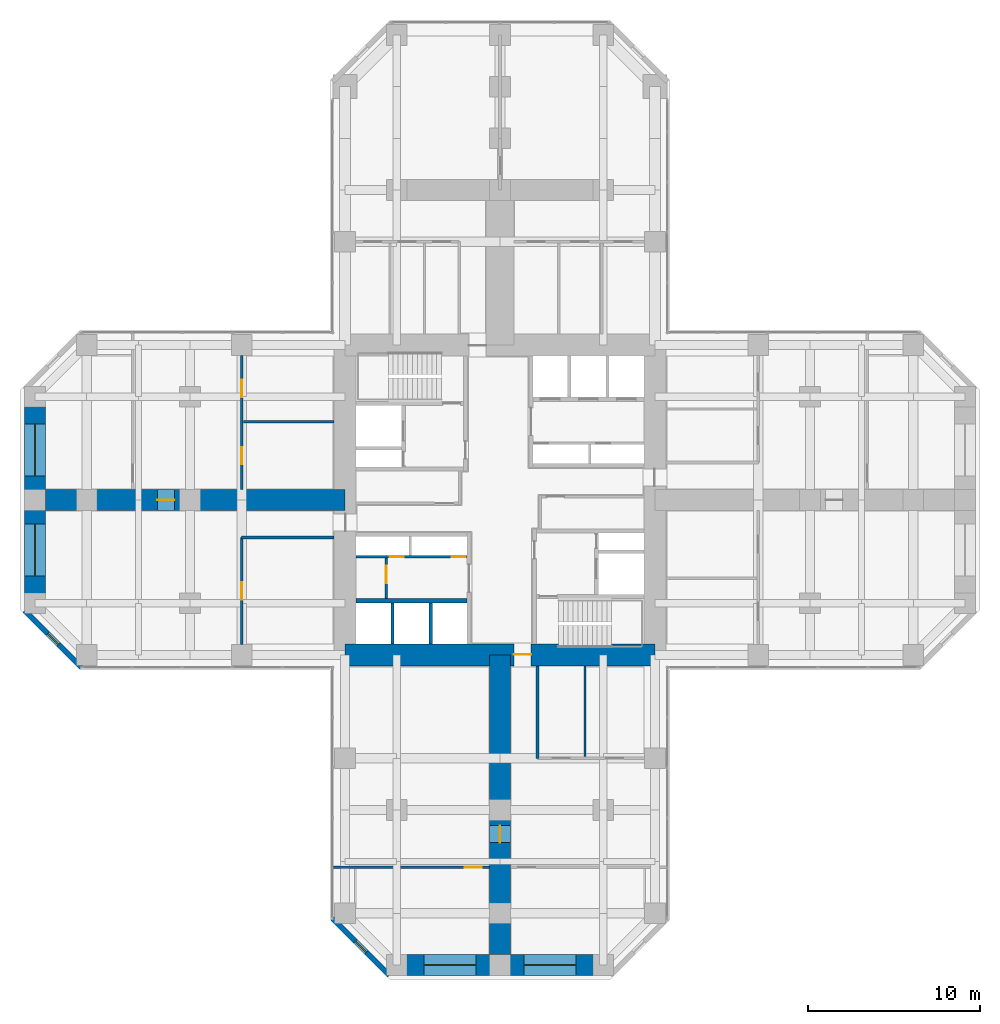
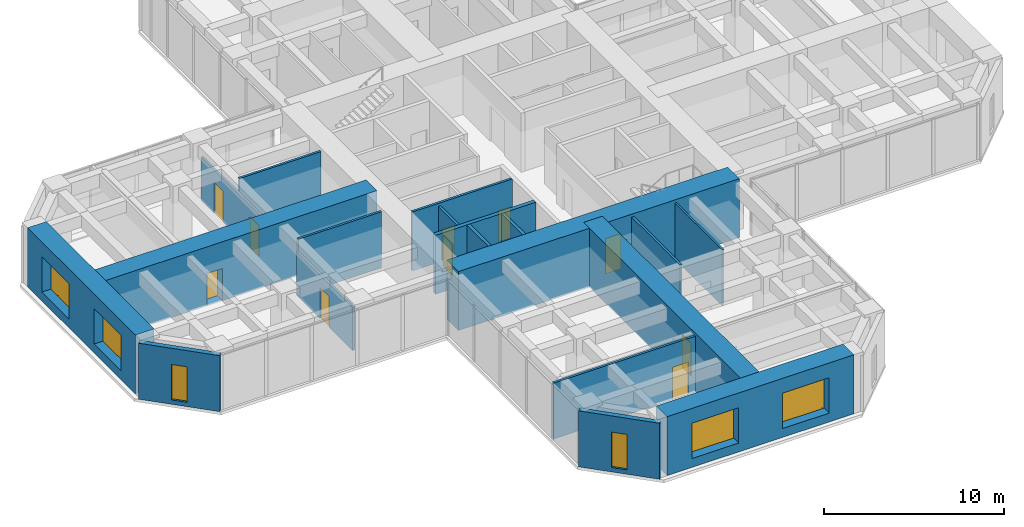
# One storey, part 8 of 12: 19 walls, 10 doors, 6 windows, 16 openings.
"""IFC4 building model written with IfcOpenShell, lengths in metres."""

from ifc_helpers import new_model, si_unit, direction, frame, frame_2d, origin, place, context, subcontext, project, spatial, rectangle, hollow_rectangle, extrude, material, layer, layer_set, constituent, constituent_set, type_object, element, fill, save


model = new_model("IFC4")

# Units and contexts
model_context = context("Model", 3, precision=1e-05, world=origin(), true_north=direction((0.0, 1.0)))
body_context = subcontext(model_context, "Body", "Model", "MODEL_VIEW")
ifc_project = project(units=[si_unit("LENGTHUNIT", "METRE"), si_unit("AREAUNIT", "SQUARE_METRE"), si_unit("VOLUMEUNIT", "CUBIC_METRE"), si_unit("PLANEANGLEUNIT", "RADIAN"), si_unit("MASSUNIT", "GRAM", prefix="KILO")], contexts=[model_context])

# Site, building, storey
site_placement = place(None, origin())
site = spatial("IfcSite", under=ifc_project, at=site_placement, CompositionType="ELEMENT")
building_placement = place(site_placement, origin())
building = spatial("IfcBuilding", under=site, at=building_placement, Name="Torre Cruceta", CompositionType="ELEMENT")
storey_placement = place(building_placement, frame((0.0, 0.0, 87.5)))
storey = spatial("IfcBuildingStorey", under=building, at=storey_placement, Name="L21", CompositionType="ELEMENT", Elevation=87.5)

# Wall
ifc_material_1 = material(Name="Concrete G60 (fck 60 MPa)", Category="concrete")
ifc_layer_1 = layer(ifc_material_1, 0.25)
ifc_layer_set_1 = layer_set([ifc_layer_1], Name="Concrete G60 (fck 60 MPa)")
wall_type_1 = type_object("IfcWallType", Name="CORE INNER WALL 250 G60", PredefinedType="SHEAR", material=ifc_layer_set_1)
wall_1_placement = place(storey_placement, frame((-1.925048828125, -5.85009765625, 0.0), z_axis=(0.0, 0.0, 1.0), x_axis=(-1.0, 0.0, 0.0)))
element("IfcWall", 1, at=wall_1_placement, inside=storey, type_object=wall_type_1, Name="CW4 L21 SW-LV", PredefinedType="SHEAR", context=body_context, shape_type="SweptSolid", body=[
    extrude(rectangle(XDim=6.425048828125, YDim=0.25, at=frame_2d((3.21240234375, 0.0))), origin(), (0.0, 0.0, 1.0), 4.0),
])

# Wall, opening, door
ifc_material_2 = material(Name="Concrete G60 (fck 60 MPa)", Category="concrete")
ifc_layer_2 = layer(ifc_material_2, 1.300048828125)
ifc_layer_set_2 = layer_set([ifc_layer_2], Name="Concrete G60 (fck 60 MPa)")
wall_type_2 = type_object("IfcWallType", Name="CORE WALL 1300 G60", PredefinedType="SHEAR", material=ifc_layer_set_2)
wall_2_placement = place(storey_placement, frame((-9.0, -9.0, 0.0), z_axis=(0.0, 0.0, 1.0), x_axis=(1.0, 0.0, 0.0)))
wall_2 = element("IfcWall", 2, at=wall_2_placement, inside=storey, type_object=wall_type_2, Name="CW1 L21 CW-S", PredefinedType="SHEAR", context=body_context, shape_type="SweptSolid", body=[
    extrude(rectangle(XDim=18.0, YDim=1.300048828125, at=frame_2d((9.0, 0.0))), origin(), (0.0, 0.0, 1.0), 4.0),
])
opening_1_placement = place(wall_2_placement, frame((9.800048828125, 0.0, 0.0)))
opening_1 = element("IfcOpeningElement", 3, at=opening_1_placement, cuts=wall_2, Name="Opening D4", PredefinedType="OPENING", context=body_context, shape_type="SweptSolid", body=[
    extrude(rectangle(XDim=1.0, YDim=2.39990234375, at=frame_2d((0.5, 1.199951171875))), frame((0.0, 0.659912109375, 0.0), z_axis=(0.0, -1.0, 0.0), x_axis=(1.0, 0.0, 0.0)), (0.0, 0.0, 1.0), 1.320068359375),
])
ifc_material_3 = material(Name="Steel DX51D", Category="steel")
ifc_constituent_1 = constituent(ifc_material_3, Name="Leaf and frame")
ifc_material_4 = material(Name="Polyester powder coating", Category="paint")
ifc_constituent_2 = constituent(ifc_material_4, Name="Finish")
ifc_constituent_set_1 = constituent_set(constituents=[ifc_constituent_1, ifc_constituent_2], Name="Steel fire door")
door_type_1 = type_object("IfcDoorType", Name="CORE ARM DOOR 1000X2400", OperationType="SINGLE_SWING_RIGHT", PredefinedType="DOOR", material=ifc_constituent_set_1)
door_1_placement = place(opening_1_placement, frame((1.0, 0.0, 0.0), z_axis=(0.0, 0.0, 1.0), x_axis=(-1.0, 0.0, 0.0)))
door_1 = element("IfcDoor", 4, at=door_1_placement, inside=storey, type_object=door_type_1, Name="D4 L21 CW-S", OperationType="SINGLE_SWING_RIGHT", OverallHeight=2.39990234375, OverallWidth=1.0, PredefinedType="DOOR", context=body_context, shape_type="SweptSolid", body=[
    extrude(rectangle(XDim=1.0, YDim=2.39990234375, at=frame_2d((0.5, 1.199951171875))), frame((0.0, -0.005126953125, 0.0), z_axis=(0.0, -1.0, 0.0), x_axis=(1.0, 0.0, 0.0)), (0.0, 0.0, 1.0), 0.050048828125),
])
fill(opening_1, door_1)

# Wall, opening, window
ifc_material_5 = material(Name="Concrete G30 (fck 30 MPa)", Category="concrete")
ifc_layer_3 = layer(ifc_material_5, 0.300048828125)
ifc_layer_set_3 = layer_set([ifc_layer_3], Name="Concrete G30 (fck 30 MPa)")
wall_type_3 = type_object("IfcWallType", Name="EXPOSED CONCRETE FACADE WALL 300", PredefinedType="SOLIDWALL", material=ifc_layer_set_3)
wall_3_placement = place(storey_placement, frame((-27.60009765625, -6.418212890625, 0.0), z_axis=(0.0, 0.0, 1.0), x_axis=(0.707106781187, -0.707106781187, 0.0)))
wall_3 = element("IfcWall", 5, at=wall_3_placement, inside=storey, type_object=wall_type_3, Name="EW1 facade wall L21 W chamfer 13", PredefinedType="SOLIDWALL", context=body_context, shape_type="SweptSolid", body=[
    extrude(rectangle(XDim=4.66943359375, YDim=0.300048828125, at=frame_2d((2.334716796875, 0.0))), origin(), (0.0, 0.0, 1.0), 3.800048828125),
])
opening_2_placement = place(wall_3_placement, frame((1.884765625, 0.0, 0.300048828125)))
opening_2 = element("IfcOpeningElement", 6, at=opening_2_placement, cuts=wall_3, Name="Opening WN5", PredefinedType="OPENING", context=body_context, shape_type="SweptSolid", body=[
    extrude(rectangle(XDim=0.89990234375, YDim=2.39990234375, at=frame_2d((0.449951171875, 1.199951171875))), frame((0.0, 0.159912109375, 0.0), z_axis=(0.0, -1.0, 0.0), x_axis=(1.0, 0.0, 0.0)), (0.0, 0.0, 1.0), 0.320068359375),
])
ifc_material_6 = material(Name="Aluminium window frame", Category="aluminium")
ifc_constituent_3 = constituent(ifc_material_6, Name="Frame")
ifc_material_7 = material(Name="Laminated insulating glass unit, low-iron clear", Category="glass")
ifc_constituent_4 = constituent(ifc_material_7, Name="Glazing")
ifc_constituent_set_2 = constituent_set(constituents=[ifc_constituent_3, ifc_constituent_4], Name="Aluminium window")
window_type_1 = type_object("IfcWindowType", Name="CHAMFER SLOT WINDOW 900X2400", PartitioningType="SINGLE_PANEL", PredefinedType="WINDOW", material=ifc_constituent_set_2)
window_1_placement = place(opening_2_placement, origin())
window_1 = element("IfcWindow", 7, at=window_1_placement, inside=storey, type_object=window_type_1, Name="WN5 L21 W 1", OverallHeight=2.39990234375, OverallWidth=0.89990234375, PartitioningType="SINGLE_PANEL", PredefinedType="WINDOW", context=body_context, shape_type="SweptSolid", body=[
    extrude(hollow_rectangle(XDim=0.89990234375, YDim=2.39990234375, WallThickness=0.06005859375, at=frame_2d((0.449951171875, 1.199951171875))), frame((0.0, 0.030029296875, 0.0), z_axis=(0.0, -1.0, 0.0), x_axis=(1.0, 0.0, 0.0)), (0.0, 0.0, 1.0), 0.06005859375),
    extrude(rectangle(XDim=0.77880859375, YDim=2.27880859375, at=frame_2d((0.449951171875, 1.199951171875))), frame((0.0, 0.030029296875, 0.0), z_axis=(0.0, -1.0, 0.0), x_axis=(1.0, 0.0, 0.0)), (0.0, 0.0, 1.0), 0.06005859375),
])
fill(opening_2, window_1)

wall_4_placement = place(storey_placement, frame((-9.719970703125, -24.29833984375, 0.0), z_axis=(0.0, 0.0, 1.0), x_axis=(0.707106781187, -0.707106781187, 0.0)))
wall_4 = element("IfcWall", 8, at=wall_4_placement, inside=storey, type_object=wall_type_3, Name="EW1 facade wall L21 S chamfer 16", PredefinedType="SOLIDWALL", context=body_context, shape_type="SweptSolid", body=[
    extrude(rectangle(XDim=4.66943359375, YDim=0.300048828125, at=frame_2d((2.334716796875, 0.0))), origin(), (0.0, 0.0, 1.0), 3.800048828125),
])
opening_3_placement = place(wall_4_placement, frame((1.884765625, 0.0, 0.300048828125)))
opening_3 = element("IfcOpeningElement", 9, at=opening_3_placement, cuts=wall_4, Name="Opening WN5", PredefinedType="OPENING", context=body_context, shape_type="SweptSolid", body=[
    extrude(rectangle(XDim=0.89990234375, YDim=2.39990234375, at=frame_2d((0.449951171875, 1.199951171875))), frame((0.0, 0.159912109375, 0.0), z_axis=(0.0, -1.0, 0.0), x_axis=(1.0, 0.0, 0.0)), (0.0, 0.0, 1.0), 0.320068359375),
])
window_2_placement = place(opening_3_placement, origin())
window_2 = element("IfcWindow", 10, at=window_2_placement, inside=storey, type_object=window_type_1, Name="WN5 L21 S 1", OverallHeight=2.39990234375, OverallWidth=0.89990234375, PartitioningType="SINGLE_PANEL", PredefinedType="WINDOW", context=body_context, shape_type="SweptSolid", body=[
    extrude(hollow_rectangle(XDim=0.89990234375, YDim=2.39990234375, WallThickness=0.06005859375, at=frame_2d((0.449951171875, 1.199951171875))), frame((0.0, 0.030029296875, 0.0), z_axis=(0.0, -1.0, 0.0), x_axis=(1.0, 0.0, 0.0)), (0.0, 0.0, 1.0), 0.06005859375),
    extrude(rectangle(XDim=0.77880859375, YDim=2.27880859375, at=frame_2d((0.449951171875, 1.199951171875))), frame((0.0, 0.030029296875, 0.0), z_axis=(0.0, -1.0, 0.0), x_axis=(1.0, 0.0, 0.0)), (0.0, 0.0, 1.0), 0.06005859375),
])
fill(opening_3, window_2)

# Walls
ifc_material_8 = material(Name="Concrete G35 (fck 35 MPa)", Category="concrete")
ifc_layer_4 = layer(ifc_material_8, 0.199951171875)
ifc_layer_set_4 = layer_set([ifc_layer_4], Name="Concrete G35 (fck 35 MPa)")
wall_type_4 = type_object("IfcWallType", Name="LIFT SHAFT WALL 200", PredefinedType="PARTITIONING", material=ifc_layer_set_4)
for number, where, z_axis, x_axis, name in (
    (11, (-4.033447265625, -5.97509765625, 0.0), (0.0, 0.0, 1.0), (0.0, -1.0, 0.0), "SW1 L21 SW-LS1"),
    (12, (-6.24169921875, -5.97509765625, 0.0), (0.0, 0.0, 1.0), (0.0, -1.0, 0.0), "SW1 L21 SW-LS2"),
):
    element("IfcWall", number, at=place(storey_placement, frame(where, z_axis=z_axis, x_axis=x_axis)), inside=storey, type_object=wall_type_4, Name=name, PredefinedType="PARTITIONING", context=body_context, shape_type="SweptSolid", body=[
        extrude(rectangle(XDim=2.375, YDim=0.199951171875, at=frame_2d((1.1875, 0.0))), origin(), (0.0, 0.0, 1.0), 4.0),
    ])

# Wall, openings, windows
ifc_material_9 = material(Name="Concrete G60 (fck 60 MPa)", Category="concrete")
ifc_layer_5 = layer(ifc_material_9, 1.199951171875)
ifc_layer_set_5 = layer_set([ifc_layer_5], Name="Concrete G60 (fck 60 MPa)")
wall_type_5 = type_object("IfcWallType", Name="NOSE WALL 1200 G60", PredefinedType="SHEAR", material=ifc_layer_set_5)
wall_5_placement = place(storey_placement, frame((-6.0, -27.0, 0.0), z_axis=(0.0, 0.0, 1.0), x_axis=(1.0, 0.0, 0.0)))
wall_5 = element("IfcWall", 13, at=wall_5_placement, inside=storey, type_object=wall_type_5, Name="NW1 nose wall L21 S", PredefinedType="SHEAR", context=body_context, shape_type="SweptSolid", body=[
    extrude(rectangle(XDim=12.0, YDim=1.199951171875, at=frame_2d((6.0, 0.0))), origin(), (0.0, 0.0, 1.0), 4.0),
])
opening_4_placement = place(wall_5_placement, frame((1.60009765625, 0.0, 0.60009765625)))
opening_4 = element("IfcOpeningElement", 14, at=opening_4_placement, cuts=wall_5, Name="Opening WN6", PredefinedType="OPENING", context=body_context, shape_type="SweptSolid", body=[
    extrude(rectangle(XDim=3.0, YDim=2.39990234375, at=frame_2d((1.5, 1.199951171875))), frame((0.0, 0.60986328125, 0.0), z_axis=(0.0, -1.0, 0.0), x_axis=(1.0, 0.0, 0.0)), (0.0, 0.0, 1.0), 1.219970703125),
])
opening_5_placement = place(wall_5_placement, frame((7.39990234375, 0.0, 0.60009765625)))
opening_5 = element("IfcOpeningElement", 15, at=opening_5_placement, cuts=wall_5, Name="Opening WN6", PredefinedType="OPENING", context=body_context, shape_type="SweptSolid", body=[
    extrude(rectangle(XDim=3.0, YDim=2.39990234375, at=frame_2d((1.5, 1.199951171875))), frame((0.0, 0.60986328125, 0.0), z_axis=(0.0, -1.0, 0.0), x_axis=(1.0, 0.0, 0.0)), (0.0, 0.0, 1.0), 1.219970703125),
])
ifc_material_10 = material(Name="Aluminium window frame", Category="aluminium")
ifc_constituent_5 = constituent(ifc_material_10, Name="Frame")
ifc_material_11 = material(Name="Laminated insulating glass unit, low-iron clear", Category="glass")
ifc_constituent_6 = constituent(ifc_material_11, Name="Glazing")
ifc_constituent_set_3 = constituent_set(constituents=[ifc_constituent_5, ifc_constituent_6], Name="Aluminium window")
window_type_2 = type_object("IfcWindowType", Name="NOSE WALL WINDOW 3000X2400", PartitioningType="SINGLE_PANEL", PredefinedType="WINDOW", material=ifc_constituent_set_3)
window_3_placement = place(opening_4_placement, origin())
window_3 = element("IfcWindow", 16, at=window_3_placement, inside=storey, type_object=window_type_2, Name="WN6 L21 S 1", OverallHeight=2.39990234375, OverallWidth=3.0, PartitioningType="SINGLE_PANEL", PredefinedType="WINDOW", context=body_context, shape_type="SweptSolid", body=[
    extrude(hollow_rectangle(XDim=3.0, YDim=2.39990234375, WallThickness=0.06005859375, at=frame_2d((1.5, 1.199951171875))), frame((0.0, 0.030029296875, 0.0), z_axis=(0.0, -1.0, 0.0), x_axis=(1.0, 0.0, 0.0)), (0.0, 0.0, 1.0), 0.06005859375),
    extrude(rectangle(XDim=2.87890625, YDim=2.27880859375, at=frame_2d((1.5, 1.199951171875))), frame((0.0, 0.030029296875, 0.0), z_axis=(0.0, -1.0, 0.0), x_axis=(1.0, 0.0, 0.0)), (0.0, 0.0, 1.0), 0.06005859375),
])
fill(opening_4, window_3)
window_4_placement = place(opening_5_placement, origin())
window_4 = element("IfcWindow", 17, at=window_4_placement, inside=storey, type_object=window_type_2, Name="WN6 L21 S 2", OverallHeight=2.39990234375, OverallWidth=3.0, PartitioningType="SINGLE_PANEL", PredefinedType="WINDOW", context=body_context, shape_type="SweptSolid", body=[
    extrude(hollow_rectangle(XDim=3.0, YDim=2.39990234375, WallThickness=0.06005859375, at=frame_2d((1.5, 1.199951171875))), frame((0.0, 0.030029296875, 0.0), z_axis=(0.0, -1.0, 0.0), x_axis=(1.0, 0.0, 0.0)), (0.0, 0.0, 1.0), 0.06005859375),
    extrude(rectangle(XDim=2.87890625, YDim=2.27880859375, at=frame_2d((1.5, 1.199951171875))), frame((0.0, 0.030029296875, 0.0), z_axis=(0.0, -1.0, 0.0), x_axis=(1.0, 0.0, 0.0)), (0.0, 0.0, 1.0), 0.06005859375),
])
fill(opening_5, window_4)

wall_6_placement = place(storey_placement, frame((-27.0, 6.0, 0.0), z_axis=(0.0, 0.0, 1.0), x_axis=(0.0, -1.0, 0.0)))
wall_6 = element("IfcWall", 18, at=wall_6_placement, inside=storey, type_object=wall_type_5, Name="NW1 nose wall L21 W", PredefinedType="SHEAR", context=body_context, shape_type="SweptSolid", body=[
    extrude(rectangle(XDim=12.0, YDim=1.199951171875, at=frame_2d((6.0, 0.0))), origin(), (0.0, 0.0, 1.0), 4.0),
])
opening_6_placement = place(wall_6_placement, frame((1.60009765625, 0.0, 0.60009765625)))
opening_6 = element("IfcOpeningElement", 19, at=opening_6_placement, cuts=wall_6, Name="Opening WN6", PredefinedType="OPENING", context=body_context, shape_type="SweptSolid", body=[
    extrude(rectangle(XDim=3.0, YDim=2.39990234375, at=frame_2d((1.5, 1.199951171875))), frame((0.0, 0.60986328125, 0.0), z_axis=(0.0, -1.0, 0.0), x_axis=(1.0, 0.0, 0.0)), (0.0, 0.0, 1.0), 1.219970703125),
])
opening_7_placement = place(wall_6_placement, frame((7.39990234375, 0.0, 0.60009765625)))
opening_7 = element("IfcOpeningElement", 20, at=opening_7_placement, cuts=wall_6, Name="Opening WN6", PredefinedType="OPENING", context=body_context, shape_type="SweptSolid", body=[
    extrude(rectangle(XDim=3.0, YDim=2.39990234375, at=frame_2d((1.5, 1.199951171875))), frame((0.0, 0.60986328125, 0.0), z_axis=(0.0, -1.0, 0.0), x_axis=(1.0, 0.0, 0.0)), (0.0, 0.0, 1.0), 1.219970703125),
])
window_5_placement = place(opening_6_placement, origin())
window_5 = element("IfcWindow", 21, at=window_5_placement, inside=storey, type_object=window_type_2, Name="WN6 L21 W 1", OverallHeight=2.39990234375, OverallWidth=3.0, PartitioningType="SINGLE_PANEL", PredefinedType="WINDOW", context=body_context, shape_type="SweptSolid", body=[
    extrude(hollow_rectangle(XDim=3.0, YDim=2.39990234375, WallThickness=0.06005859375, at=frame_2d((1.5, 1.199951171875))), frame((0.0, 0.030029296875, 0.0), z_axis=(0.0, -1.0, 0.0), x_axis=(1.0, 0.0, 0.0)), (0.0, 0.0, 1.0), 0.06005859375),
    extrude(rectangle(XDim=2.87890625, YDim=2.27880859375, at=frame_2d((1.5, 1.199951171875))), frame((0.0, 0.030029296875, 0.0), z_axis=(0.0, -1.0, 0.0), x_axis=(1.0, 0.0, 0.0)), (0.0, 0.0, 1.0), 0.06005859375),
])
fill(opening_6, window_5)
window_6_placement = place(opening_7_placement, origin())
window_6 = element("IfcWindow", 22, at=window_6_placement, inside=storey, type_object=window_type_2, Name="WN6 L21 W 2", OverallHeight=2.39990234375, OverallWidth=3.0, PartitioningType="SINGLE_PANEL", PredefinedType="WINDOW", context=body_context, shape_type="SweptSolid", body=[
    extrude(hollow_rectangle(XDim=3.0, YDim=2.39990234375, WallThickness=0.06005859375, at=frame_2d((1.5, 1.199951171875))), frame((0.0, 0.030029296875, 0.0), z_axis=(0.0, -1.0, 0.0), x_axis=(1.0, 0.0, 0.0)), (0.0, 0.0, 1.0), 0.06005859375),
    extrude(rectangle(XDim=2.87890625, YDim=2.27880859375, at=frame_2d((1.5, 1.199951171875))), frame((0.0, 0.030029296875, 0.0), z_axis=(0.0, -1.0, 0.0), x_axis=(1.0, 0.0, 0.0)), (0.0, 0.0, 1.0), 0.06005859375),
])
fill(opening_7, window_6)

# Wall, opening, door
ifc_material_12 = material(Name="Plasterboard on steel studs", Category="steel")
ifc_layer_6 = layer(ifc_material_12, 0.14990234375)
ifc_layer_set_6 = layer_set([ifc_layer_6], Name="Plasterboard on steel studs")
wall_type_6 = type_object("IfcWallType", Name="PARTITION 150", PredefinedType="PARTITIONING", material=ifc_layer_set_6)
wall_7_placement = place(storey_placement, frame((-6.60009765625, -3.375, 0.0), z_axis=(0.0, 0.0, 1.0), x_axis=(0.0, -1.0, 0.0)))
wall_7 = element("IfcWall", 23, at=wall_7_placement, inside=storey, type_object=wall_type_6, Name="PT1 L21-CORE-SW-X", PredefinedType="PARTITIONING", context=body_context, shape_type="SweptSolid", body=[
    extrude(rectangle(XDim=2.35009765625, YDim=0.14990234375, at=frame_2d((1.175048828125, 0.0))), origin(), (0.0, 0.0, 1.0), 3.800048828125),
])
opening_8_placement = place(wall_7_placement, frame((0.449951171875, 0.0, 0.0)))
opening_8 = element("IfcOpeningElement", 24, at=opening_8_placement, cuts=wall_7, Name="Opening D3", PredefinedType="OPENING", context=body_context, shape_type="SweptSolid", body=[
    extrude(rectangle(XDim=1.0, YDim=2.10009765625, at=frame_2d((0.5, 1.050048828125))), frame((0.0, 0.0849609375, 0.0), z_axis=(0.0, -1.0, 0.0), x_axis=(1.0, 0.0, 0.0)), (0.0, 0.0, 1.0), 0.169921875),
])
ifc_material_13 = material(Name="Steel DX51D", Category="steel")
ifc_constituent_7 = constituent(ifc_material_13, Name="Leaf and frame")
ifc_material_14 = material(Name="Polyester powder coating", Category="paint")
ifc_constituent_8 = constituent(ifc_material_14, Name="Finish")
ifc_constituent_set_4 = constituent_set(constituents=[ifc_constituent_7, ifc_constituent_8], Name="Steel fire door")
door_type_2 = type_object("IfcDoorType", Name="FIRE DOOR 1000X2100", OperationType="SINGLE_SWING_LEFT", PredefinedType="DOOR", material=ifc_constituent_set_4)
door_2_placement = place(opening_8_placement, frame((1.0, 0.0, 0.0), z_axis=(0.0, 0.0, 1.0), x_axis=(-1.0, 0.0, 0.0)))
door_2 = element("IfcDoor", 25, at=door_2_placement, inside=storey, type_object=door_type_2, Name="D3 L21-CORE-SW-X-D1", OperationType="SINGLE_SWING_RIGHT", OverallHeight=2.10009765625, OverallWidth=1.0, PredefinedType="DOOR", context=body_context, shape_type="SweptSolid", body=[
    extrude(rectangle(XDim=1.0, YDim=2.10009765625, at=frame_2d((0.5, 1.050048828125))), frame((0.0, 0.025146484375, 0.0), z_axis=(0.0, -1.0, 0.0), x_axis=(1.0, 0.0, 0.0)), (0.0, 0.0, 1.0), 0.050048828125),
])
fill(opening_8, door_2)

# Wall
wall_8_placement = place(storey_placement, frame((2.175048828125, -9.64990234375, 0.0), z_axis=(0.0, 0.0, 1.0), x_axis=(0.0, -1.0, 0.0)))
element("IfcWall", 26, at=wall_8_placement, inside=storey, type_object=wall_type_6, Name="PT1 L21-S-BSL", PredefinedType="PARTITIONING", context=body_context, shape_type="SweptSolid", body=[
    extrude(rectangle(XDim=5.35009765625, YDim=0.14990234375, at=frame_2d((2.675048828125, 0.0))), origin(), (0.0, 0.0, 1.0), 3.800048828125),
])

# Wall, opening, door
wall_9_placement = place(storey_placement, frame((-9.679931640625, -21.320068359375, 0.0), z_axis=(0.0, 0.0, 1.0), x_axis=(1.0, 0.0, 0.0)))
wall_9 = element("IfcWall", 27, at=wall_9_placement, inside=storey, type_object=wall_type_6, Name="PT1 L21-S-TWR", PredefinedType="PARTITIONING", context=body_context, shape_type="SweptSolid", body=[
    extrude(rectangle(XDim=9.079833984375, YDim=0.14990234375, at=frame_2d((4.5400390625, 0.0))), origin(), (0.0, 0.0, 1.0), 3.800048828125),
])
opening_9_placement = place(wall_9_placement, frame((7.6298828125, 0.0, 0.0)))
opening_9 = element("IfcOpeningElement", 28, at=opening_9_placement, cuts=wall_9, Name="Opening D14", PredefinedType="OPENING", context=body_context, shape_type="SweptSolid", body=[
    extrude(rectangle(XDim=1.0, YDim=2.199951171875, at=frame_2d((0.5, 1.10009765625))), frame((0.0, 0.0849609375, 0.0), z_axis=(0.0, -1.0, 0.0), x_axis=(1.0, 0.0, 0.0)), (0.0, 0.0, 1.0), 0.169921875),
])
ifc_material_15 = material(Name="Steel DX51D", Category="steel")
ifc_constituent_9 = constituent(ifc_material_15, Name="Leaf and frame")
ifc_material_16 = material(Name="Polyester powder coating", Category="paint")
ifc_constituent_10 = constituent(ifc_material_16, Name="Finish")
ifc_material_17 = material(Name="Fire-resisting glass", Category="glass")
ifc_constituent_11 = constituent(ifc_material_17, Name="Vision panel")
ifc_constituent_set_5 = constituent_set(constituents=[ifc_constituent_9, ifc_constituent_10, ifc_constituent_11], Name="Steel fire door with vision panel")
door_type_3 = type_object("IfcDoorType", Name="FIRE DOOR VISION PANEL 1000X2200", OperationType="SINGLE_SWING_RIGHT", PredefinedType="DOOR", material=ifc_constituent_set_5)
door_3_placement = place(opening_9_placement, frame((1.0, 0.0, 0.0), z_axis=(0.0, 0.0, 1.0), x_axis=(-1.0, 0.0, 0.0)))
door_3 = element("IfcDoor", 29, at=door_3_placement, inside=storey, type_object=door_type_3, Name="D14 L21-S-TWR-D1", OperationType="SINGLE_SWING_LEFT", OverallHeight=2.199951171875, OverallWidth=1.0, PredefinedType="DOOR", context=body_context, shape_type="SweptSolid", body=[
    extrude(rectangle(XDim=1.0, YDim=2.199951171875, at=frame_2d((0.5, 1.10009765625))), frame((0.0, 0.025146484375, 0.0), z_axis=(0.0, -1.0, 0.0), x_axis=(1.0, 0.0, 0.0)), (0.0, 0.0, 1.0), 0.050048828125),
])
fill(opening_9, door_3)

wall_10_placement = place(storey_placement, frame((-15.0, -2.175048828125, 0.0), z_axis=(0.0, 0.0, 1.0), x_axis=(0.0, -1.0, 0.0)))
wall_10 = element("IfcWall", 30, at=wall_10_placement, inside=storey, type_object=wall_type_6, Name="PT1 L21-W-BFL", PredefinedType="PARTITIONING", context=body_context, shape_type="SweptSolid", body=[
    extrude(rectangle(XDim=6.224853515625, YDim=0.14990234375, at=frame_2d((3.1123046875, 0.0))), origin(), (0.0, 0.0, 1.0), 2.949951171875),
])
opening_10_placement = place(wall_10_placement, frame((2.612548828125, 0.0, 0.0)))
opening_10 = element("IfcOpeningElement", 31, at=opening_10_placement, cuts=wall_10, Name="Opening D3", PredefinedType="OPENING", context=body_context, shape_type="SweptSolid", body=[
    extrude(rectangle(XDim=1.0, YDim=2.10009765625, at=frame_2d((0.5, 1.050048828125))), frame((0.0, 0.0849609375, 0.0), z_axis=(0.0, -1.0, 0.0), x_axis=(1.0, 0.0, 0.0)), (0.0, 0.0, 1.0), 0.169921875),
])
door_4_placement = place(opening_10_placement, origin())
door_4 = element("IfcDoor", 32, at=door_4_placement, inside=storey, type_object=door_type_2, Name="D3 L21-W-BFL-D1", OperationType="SINGLE_SWING_LEFT", OverallHeight=2.10009765625, OverallWidth=1.0, PredefinedType="DOOR", context=body_context, shape_type="SweptSolid", body=[
    extrude(rectangle(XDim=1.0, YDim=2.10009765625, at=frame_2d((0.5, 1.050048828125))), frame((0.0, 0.02490234375, 0.0), z_axis=(0.0, -1.0, 0.0), x_axis=(1.0, 0.0, 0.0)), (0.0, 0.0, 1.0), 0.050048828125),
])
fill(opening_10, door_4)

# Wall
wall_11_placement = place(storey_placement, frame((-9.64990234375, -2.175048828125, 0.0), z_axis=(0.0, 0.0, 1.0), x_axis=(-1.0, 0.0, 0.0)))
element("IfcWall", 33, at=wall_11_placement, inside=storey, type_object=wall_type_6, Name="PT1 L21-W-BSL", PredefinedType="PARTITIONING", context=body_context, shape_type="SweptSolid", body=[
    extrude(rectangle(XDim=5.35009765625, YDim=0.14990234375, at=frame_2d((2.675048828125, 0.0))), origin(), (0.0, 0.0, 1.0), 3.800048828125),
])

# Wall, openings, doors
wall_12_placement = place(storey_placement, frame((-15.0, 8.39990234375, 0.0), z_axis=(0.0, 0.0, 1.0), x_axis=(0.0, -1.0, 0.0)))
wall_12 = element("IfcWall", 34, at=wall_12_placement, inside=storey, type_object=wall_type_6, Name="PT1 L21-W-BFR", PredefinedType="PARTITIONING", context=body_context, shape_type="SweptSolid", body=[
    extrude(rectangle(XDim=7.7998046875, YDim=0.14990234375, at=frame_2d((3.89990234375, 0.0))), origin(), (0.0, 0.0, 1.0), 2.949951171875),
])
opening_11_placement = place(wall_12_placement, frame((1.425048828125, 0.0, 0.0)))
opening_11 = element("IfcOpeningElement", 35, at=opening_11_placement, cuts=wall_12, Name="Opening D3", PredefinedType="OPENING", context=body_context, shape_type="SweptSolid", body=[
    extrude(rectangle(XDim=1.0, YDim=2.10009765625, at=frame_2d((0.5, 1.050048828125))), frame((0.0, 0.0849609375, 0.0), z_axis=(0.0, -1.0, 0.0), x_axis=(1.0, 0.0, 0.0)), (0.0, 0.0, 1.0), 0.169921875),
])
opening_12_placement = place(wall_12_placement, frame((5.324951171875, 0.0, 0.0)))
opening_12 = element("IfcOpeningElement", 36, at=opening_12_placement, cuts=wall_12, Name="Opening D3", PredefinedType="OPENING", context=body_context, shape_type="SweptSolid", body=[
    extrude(rectangle(XDim=1.0, YDim=2.10009765625, at=frame_2d((0.5, 1.050048828125))), frame((0.0, 0.0849609375, 0.0), z_axis=(0.0, -1.0, 0.0), x_axis=(1.0, 0.0, 0.0)), (0.0, 0.0, 1.0), 0.169921875),
])
door_5_placement = place(opening_11_placement, origin())
door_5 = element("IfcDoor", 37, at=door_5_placement, inside=storey, type_object=door_type_2, Name="D3 L21-W-BFR-D1", OperationType="SINGLE_SWING_RIGHT", OverallHeight=2.10009765625, OverallWidth=1.0, PredefinedType="DOOR", context=body_context, shape_type="SweptSolid", body=[
    extrude(rectangle(XDim=1.0, YDim=2.10009765625, at=frame_2d((0.5, 1.050048828125))), frame((0.0, 0.02490234375, 0.0), z_axis=(0.0, -1.0, 0.0), x_axis=(1.0, 0.0, 0.0)), (0.0, 0.0, 1.0), 0.050048828125),
])
fill(opening_11, door_5)
door_6_placement = place(opening_12_placement, origin())
door_6 = element("IfcDoor", 38, at=door_6_placement, inside=storey, type_object=door_type_2, Name="D3 L21-W-BFR-D2", OperationType="SINGLE_SWING_LEFT", OverallHeight=2.10009765625, OverallWidth=1.0, PredefinedType="DOOR", context=body_context, shape_type="SweptSolid", body=[
    extrude(rectangle(XDim=1.0, YDim=2.10009765625, at=frame_2d((0.5, 1.050048828125))), frame((0.0, 0.02490234375, 0.0), z_axis=(0.0, -1.0, 0.0), x_axis=(1.0, 0.0, 0.0)), (0.0, 0.0, 1.0), 0.050048828125),
])
fill(opening_12, door_6)

# Wall
wall_13_placement = place(storey_placement, frame((-9.64990234375, 4.550048828125, 0.0), z_axis=(0.0, 0.0, 1.0), x_axis=(-1.0, 0.0, 0.0)))
element("IfcWall", 39, at=wall_13_placement, inside=storey, type_object=wall_type_6, Name="PT1 L21-W-BDR1", PredefinedType="PARTITIONING", context=body_context, shape_type="SweptSolid", body=[
    extrude(rectangle(XDim=5.25, YDim=0.14990234375, at=frame_2d((2.625, 0.0))), origin(), (0.0, 0.0, 1.0), 3.800048828125),
])

# Wall, openings, doors
ifc_material_18 = material(Name="Concrete block masonry", Category="masonry")
ifc_layer_7 = layer(ifc_material_18, 0.14990234375)
ifc_layer_set_7 = layer_set([ifc_layer_7], Name="Concrete block masonry")
wall_type_7 = type_object("IfcWallType", Name="RISER WALL 150", PredefinedType="PARTITIONING", material=ifc_layer_set_7)
wall_14_placement = place(storey_placement, frame((-1.925048828125, -3.300048828125, 0.0), z_axis=(0.0, 0.0, 1.0), x_axis=(-1.0, 0.0, 0.0)))
wall_14 = element("IfcWall", 40, at=wall_14_placement, inside=storey, type_object=wall_type_7, Name="SW7 L21 SW-RV", PredefinedType="PARTITIONING", context=body_context, shape_type="SweptSolid", body=[
    extrude(rectangle(XDim=6.425048828125, YDim=0.14990234375, at=frame_2d((3.21240234375, 0.0))), origin(), (0.0, 0.0, 1.0), 4.0),
])
opening_13_placement = place(wall_14_placement, frame((0.074951171875, 0.0, 0.0)))
opening_13 = element("IfcOpeningElement", 41, at=opening_13_placement, cuts=wall_14, Name="Opening D5", PredefinedType="OPENING", context=body_context, shape_type="SweptSolid", body=[
    extrude(rectangle(XDim=0.800048828125, YDim=2.10009765625, at=frame_2d((0.39990234375, 1.050048828125))), frame((0.0, 0.0849609375, 0.0), z_axis=(0.0, -1.0, 0.0), x_axis=(1.0, 0.0, 0.0)), (0.0, 0.0, 1.0), 0.169921875),
])
opening_14_placement = place(wall_14_placement, frame((3.675048828125, 0.0, 0.0)))
opening_14 = element("IfcOpeningElement", 42, at=opening_14_placement, cuts=wall_14, Name="Opening D5", PredefinedType="OPENING", context=body_context, shape_type="SweptSolid", body=[
    extrude(rectangle(XDim=0.800048828125, YDim=2.10009765625, at=frame_2d((0.39990234375, 1.050048828125))), frame((0.0, 0.0849609375, 0.0), z_axis=(0.0, -1.0, 0.0), x_axis=(1.0, 0.0, 0.0)), (0.0, 0.0, 1.0), 0.169921875),
])
ifc_material_19 = material(Name="Steel DX51D", Category="steel")
ifc_constituent_12 = constituent(ifc_material_19, Name="Leaf and frame")
ifc_material_20 = material(Name="Polyester powder coating", Category="paint")
ifc_constituent_13 = constituent(ifc_material_20, Name="Finish")
ifc_constituent_set_6 = constituent_set(constituents=[ifc_constituent_12, ifc_constituent_13], Name="Steel fire door")
door_type_4 = type_object("IfcDoorType", Name="RISER ACCESS DOOR 800X2100", OperationType="SINGLE_SWING_LEFT", PredefinedType="DOOR", material=ifc_constituent_set_6)
door_7_placement = place(opening_13_placement, frame((0.800048828125, 0.0, 0.0), z_axis=(0.0, 0.0, 1.0), x_axis=(-1.0, 0.0, 0.0)))
door_7 = element("IfcDoor", 43, at=door_7_placement, inside=storey, type_object=door_type_4, Name="D5 L21 SW-RISER1", OperationType="SINGLE_SWING_RIGHT", OverallHeight=2.10009765625, OverallWidth=0.800048828125, PredefinedType="DOOR", context=body_context, shape_type="SweptSolid", body=[
    extrude(rectangle(XDim=0.800048828125, YDim=2.10009765625, at=frame_2d((0.400146484375, 1.050048828125))), frame((0.0, 0.025146484375, 0.0), z_axis=(0.0, -1.0, 0.0), x_axis=(1.0, 0.0, 0.0)), (0.0, 0.0, 1.0), 0.050048828125),
])
fill(opening_13, door_7)
door_8_placement = place(opening_14_placement, frame((0.800048828125, 0.0, 0.0), z_axis=(0.0, 0.0, 1.0), x_axis=(-1.0, 0.0, 0.0)))
door_8 = element("IfcDoor", 44, at=door_8_placement, inside=storey, type_object=door_type_4, Name="D5 L21 SW-RISER2", OperationType="SINGLE_SWING_RIGHT", OverallHeight=2.10009765625, OverallWidth=0.800048828125, PredefinedType="DOOR", context=body_context, shape_type="SweptSolid", body=[
    extrude(rectangle(XDim=0.800048828125, YDim=2.10009765625, at=frame_2d((0.400146484375, 1.050048828125))), frame((0.0, 0.025146484375, 0.0), z_axis=(0.0, -1.0, 0.0), x_axis=(1.0, 0.0, 0.0)), (0.0, 0.0, 1.0), 0.050048828125),
])
fill(opening_14, door_8)

# Wall, opening, door
ifc_material_21 = material(Name="Concrete G60 (fck 60 MPa)", Category="concrete")
ifc_layer_8 = layer(ifc_material_21, 1.199951171875)
ifc_layer_set_8 = layer_set([ifc_layer_8], Name="Concrete G60 (fck 60 MPa)")
wall_type_8 = type_object("IfcWallType", Name="SPINE WALL 1200 G60", PredefinedType="SHEAR", material=ifc_layer_set_8)
wall_15_placement = place(storey_placement, frame((0.0, -9.0, 0.0), z_axis=(0.0, 0.0, 1.0), x_axis=(0.0, -1.0, 0.0)))
wall_15 = element("IfcWall", 45, at=wall_15_placement, inside=storey, type_object=wall_type_8, Name="SW3 spine wall L21 S", PredefinedType="SHEAR", context=body_context, shape_type="SweptSolid", body=[
    extrude(rectangle(XDim=18.0, YDim=1.199951171875, at=frame_2d((9.0, 0.0))), origin(), (0.0, 0.0, 1.0), 4.0),
])
opening_15_placement = place(wall_15_placement, frame((9.89990234375, 0.0, 0.0)))
opening_15 = element("IfcOpeningElement", 46, at=opening_15_placement, cuts=wall_15, Name="Opening D14", PredefinedType="OPENING", context=body_context, shape_type="SweptSolid", body=[
    extrude(rectangle(XDim=1.0, YDim=2.199951171875, at=frame_2d((0.5, 1.10009765625))), frame((0.0, 0.60986328125, 0.0), z_axis=(0.0, -1.0, 0.0), x_axis=(1.0, 0.0, 0.0)), (0.0, 0.0, 1.0), 1.219970703125),
])
door_9_placement = place(opening_15_placement, origin())
door_9 = element("IfcDoor", 47, at=door_9_placement, inside=storey, type_object=door_type_3, Name="D14 L21-S-SP1", OperationType="SINGLE_SWING_RIGHT", OverallHeight=2.199951171875, OverallWidth=1.0, PredefinedType="DOOR", context=body_context, shape_type="SweptSolid", body=[
    extrude(rectangle(XDim=1.0, YDim=2.199951171875, at=frame_2d((0.5, 1.10009765625))), frame((0.0, 0.02490234375, 0.0), z_axis=(0.0, -1.0, 0.0), x_axis=(1.0, 0.0, 0.0)), (0.0, 0.0, 1.0), 0.050048828125),
])
fill(opening_15, door_9)

wall_16_placement = place(storey_placement, frame((-9.0, 0.0, 0.0), z_axis=(0.0, 0.0, 1.0), x_axis=(-1.0, 0.0, 0.0)))
wall_16 = element("IfcWall", 48, at=wall_16_placement, inside=storey, type_object=wall_type_8, Name="SW3 spine wall L21 W", PredefinedType="SHEAR", context=body_context, shape_type="SweptSolid", body=[
    extrude(rectangle(XDim=18.0, YDim=1.199951171875, at=frame_2d((9.0, 0.0))), origin(), (0.0, 0.0, 1.0), 4.0),
])
opening_16_placement = place(wall_16_placement, frame((9.89990234375, 0.0, 0.0)))
opening_16 = element("IfcOpeningElement", 49, at=opening_16_placement, cuts=wall_16, Name="Opening D14", PredefinedType="OPENING", context=body_context, shape_type="SweptSolid", body=[
    extrude(rectangle(XDim=1.0, YDim=2.199951171875, at=frame_2d((0.5, 1.10009765625))), frame((0.0, 0.60986328125, 0.0), z_axis=(0.0, -1.0, 0.0), x_axis=(1.0, 0.0, 0.0)), (0.0, 0.0, 1.0), 1.219970703125),
])
door_10_placement = place(opening_16_placement, frame((1.0, 0.0, 0.0), z_axis=(0.0, 0.0, 1.0), x_axis=(-1.0, 0.0, 0.0)))
door_10 = element("IfcDoor", 50, at=door_10_placement, inside=storey, type_object=door_type_3, Name="D14 L21-W-SP1", OperationType="SINGLE_SWING_LEFT", OverallHeight=2.199951171875, OverallWidth=1.0, PredefinedType="DOOR", context=body_context, shape_type="SweptSolid", body=[
    extrude(rectangle(XDim=1.0, YDim=2.199951171875, at=frame_2d((0.5, 1.10009765625))), frame((0.0, 0.025146484375, 0.0), z_axis=(0.0, -1.0, 0.0), x_axis=(1.0, 0.0, 0.0)), (0.0, 0.0, 1.0), 0.050048828125),
])
fill(opening_16, door_10)

# Wall
ifc_material_22 = material(Name="Plasterboard on steel studs", Category="steel")
ifc_layer_9 = layer(ifc_material_22, 0.1201171875)
ifc_layer_set_9 = layer_set([ifc_layer_9], Name="Plasterboard on steel studs")
wall_type_9 = type_object("IfcWallType", Name="WC PARTITION 120", PredefinedType="PLUMBINGWALL", material=ifc_layer_set_9)
wall_17_placement = place(storey_placement, frame((4.925537109375, -9.64990234375, 0.0), z_axis=(0.0, 0.0, 1.0), x_axis=(0.0, -1.0, 0.0)))
element("IfcWall", 51, at=wall_17_placement, inside=storey, type_object=wall_type_9, Name="PT5 L21-S-BDL1", PredefinedType="PLUMBINGWALL", context=body_context, shape_type="SweptSolid", body=[
    extrude(rectangle(XDim=5.25, YDim=0.1201171875, at=frame_2d((2.625, 0.0))), origin(), (0.0, 0.0, 1.0), 3.800048828125),
])

save(model, "model.ifc")
